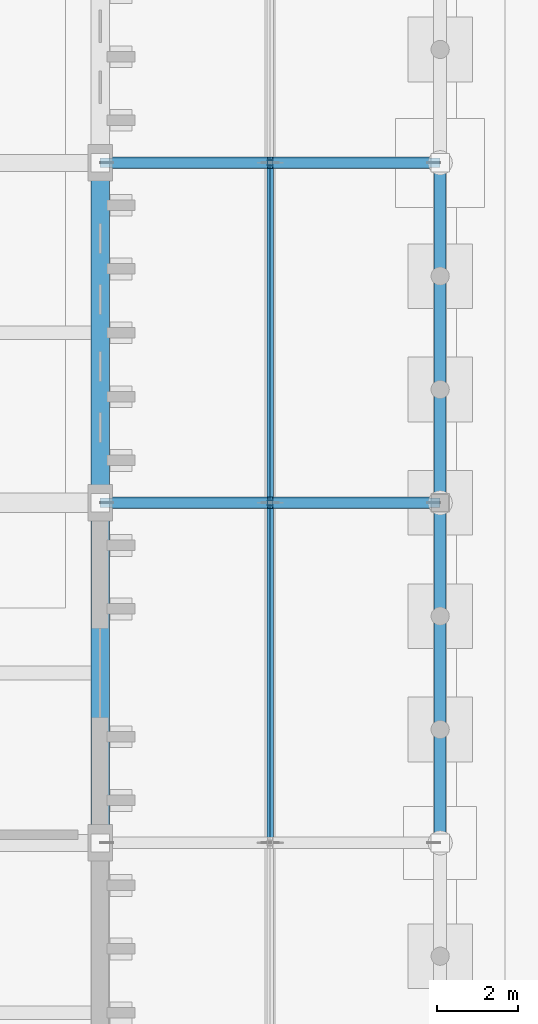
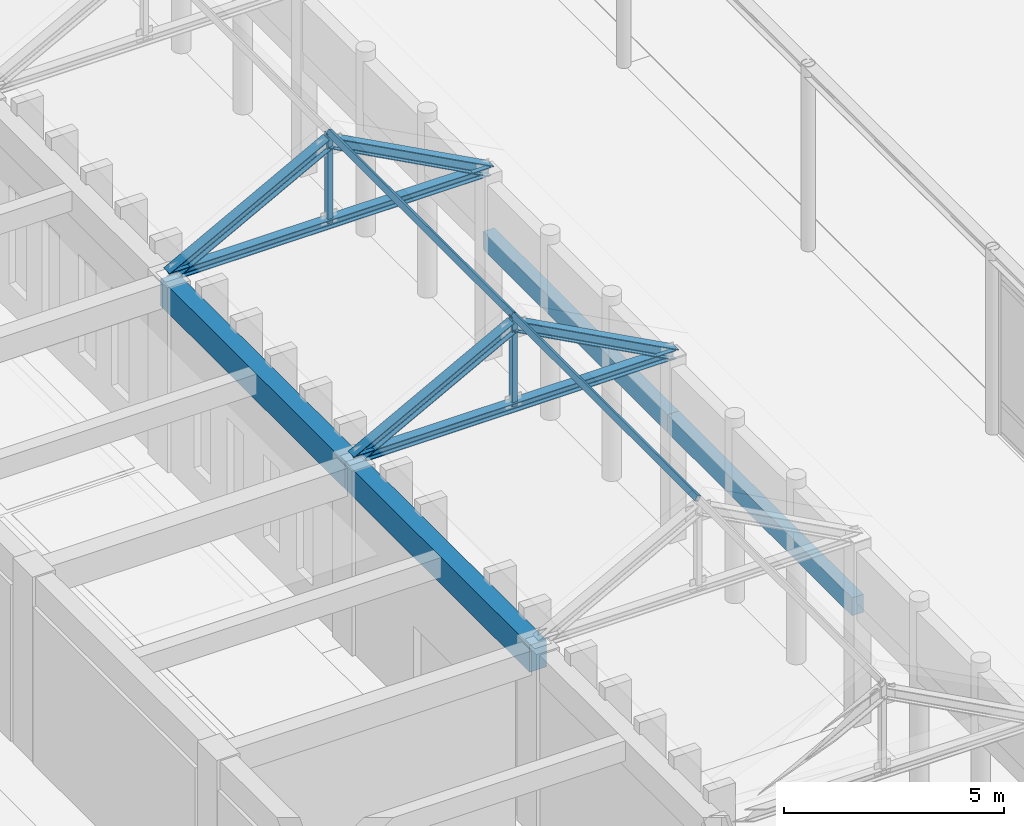
# One storey, part 31 of 143: 10 members, 4 beams.
"""IFC4 building model written with IfcOpenShell, lengths in metres."""

from ifc_helpers import new_model, si_unit, direction, frame, origin, origin_2d, place, context, subcontext, project, spatial, rectangle, hollow_rectangle, i_section, extrude, material, material_profile, profile_set, type_object, element, save


model = new_model("IFC4")

# Units and contexts
model_context = context("Model", 3, precision=1e-05, world=origin(), true_north=direction((0.0, 1.0)))
body_context = subcontext(model_context, "Body", "Model", "MODEL_VIEW")
ifc_project = project(units=[si_unit("LENGTHUNIT", "METRE"), si_unit("AREAUNIT", "SQUARE_METRE"), si_unit("VOLUMEUNIT", "CUBIC_METRE"), si_unit("PLANEANGLEUNIT", "RADIAN"), si_unit("MASSUNIT", "GRAM", prefix="KILO")], contexts=[model_context])

# Site, building, storey
site_placement = place(None, origin())
site = spatial("IfcSite", under=ifc_project, at=site_placement, CompositionType="ELEMENT")
building_placement = place(site_placement, origin())
building = spatial("IfcBuilding", under=site, at=building_placement, Name="Kveldsbrygga Polytechnic", CompositionType="ELEMENT")
storey_placement = place(building_placement, origin())
storey = spatial("IfcBuildingStorey", under=building, at=storey_placement, Name="L00", CompositionType="ELEMENT", Elevation=0.0)

# Beams
ifc_material_1 = material(Name="Concrete C35/45", Category="concrete")
ifc_material_profile_1 = material_profile(ifc_material_1, rectangle(XDim=0.449951171875, YDim=0.75, at=origin_2d()), Name="RC 450x750")
ifc_profile_set_1 = profile_set([ifc_material_profile_1], Name="Concrete C35/45")
beam_type_1 = type_object("IfcBeamType", Name="BM-RC-450x750", PredefinedType="BEAM", material=ifc_profile_set_1)
beam_1_placement = place(storey_placement, frame((33.60009765625, 42.0, 4.72509765625), z_axis=(0.0, 1.0, 0.0), x_axis=(-1.0, 0.0, 0.0)))
element("IfcBeam", 1, at=beam_1_placement, inside=storey, type_object=beam_type_1, Name="Primary Beam BMY-L00-04-05to06", PredefinedType="BEAM", context=body_context, shape_type="SweptSolid", body=[
    extrude(rectangle(XDim=0.449951171875, YDim=0.75, at=origin_2d()), origin(), (0.0, 0.0, 1.0), 8.39990234375),
])
beam_2_placement = place(storey_placement, frame((33.60009765625, 50.39990234375, 4.72509765625), z_axis=(0.0, 1.0, 0.0), x_axis=(-1.0, 0.0, 0.0)))
element("IfcBeam", 2, at=beam_2_placement, inside=storey, type_object=beam_type_1, Name="Primary Beam BMY-L00-04-06to07", PredefinedType="BEAM", context=body_context, shape_type="SweptSolid", body=[
    extrude(rectangle(XDim=0.449951171875, YDim=0.75, at=origin_2d()), origin(), (0.0, 0.0, 1.0), 8.400146484375),
])
ifc_material_profile_2 = material_profile(ifc_material_1, rectangle(XDim=0.300048828125, YDim=0.5, at=origin_2d()), Name="RC 300x500")
ifc_profile_set_2 = profile_set([ifc_material_profile_2], Name="Concrete C35/45")
beam_type_2 = type_object("IfcBeamType", Name="LNT-RC-300x500", PredefinedType="LINTEL", material=ifc_profile_set_2)
beam_3_placement = place(storey_placement, frame((42.0, 42.0, 3.199951171875), z_axis=(0.0, 1.0, 0.0), x_axis=(-1.0, 0.0, 0.0)))
element("IfcBeam", 3, at=beam_3_placement, inside=storey, type_object=beam_type_2, Name="Cloister Arcade Arch Lintel Beam BM-ARC-HDR-04", PredefinedType="LINTEL", context=body_context, shape_type="SweptSolid", body=[
    extrude(rectangle(XDim=0.300048828125, YDim=0.5, at=origin_2d()), origin(), (0.0, 0.0, 1.0), 8.39990234375),
])
beam_4_placement = place(storey_placement, frame((42.0, 50.39990234375, 3.199951171875), z_axis=(0.0, 1.0, 0.0), x_axis=(-1.0, 0.0, 0.0)))
element("IfcBeam", 4, at=beam_4_placement, inside=storey, type_object=beam_type_2, Name="Cloister Arcade Arch Lintel Beam BM-ARC-HDR-05", PredefinedType="LINTEL", context=body_context, shape_type="SweptSolid", body=[
    extrude(rectangle(XDim=0.300048828125, YDim=0.5, at=origin_2d()), origin(), (0.0, 0.0, 1.0), 8.400146484375),
])

# Members
ifc_material_2 = material(Name="Steel S355", Category="steel")
ifc_material_profile_3 = material_profile(ifc_material_2, hollow_rectangle(XDim=0.10009765625, YDim=0.14990234375, WallThickness=0.008056640625, at=origin_2d()), Name="RHS 150x100x8.0")
ifc_profile_set_3 = profile_set([ifc_material_profile_3], Name="Steel S355")
member_type_1 = type_object("IfcMemberType", Name="PRL-RHS150", PredefinedType="PURLIN", material=ifc_profile_set_3)
member_1_placement = place(storey_placement, frame((37.800048828125, 42.0, 7.6337890625), z_axis=(0.0, 1.0, 0.0), x_axis=(-0.881479888517, 0.0, 0.472221564671)))
element("IfcMember", 5, at=member_1_placement, inside=storey, type_object=member_type_1, Name="Roof Purlin ARC-WW-PRL-2-1", PredefinedType="PURLIN", context=body_context, shape_type="SweptSolid", body=[
    extrude(hollow_rectangle(XDim=0.10009765625, YDim=0.14990234375, WallThickness=0.008056640625, at=origin_2d()), origin(), (0.0, 0.0, 1.0), 8.39990234375),
])
member_2_placement = place(storey_placement, frame((37.800048828125, 50.39990234375, 7.6337890625), z_axis=(0.0, 1.0, 0.0), x_axis=(-0.881479888517, 0.0, 0.472221564671)))
element("IfcMember", 6, at=member_2_placement, inside=storey, type_object=member_type_1, Name="Roof Purlin ARC-WW-PRL-3-1", PredefinedType="PURLIN", context=body_context, shape_type="SweptSolid", body=[
    extrude(hollow_rectangle(XDim=0.10009765625, YDim=0.14990234375, WallThickness=0.008056640625, at=origin_2d()), origin(), (0.0, 0.0, 1.0), 8.400146484375),
])
ifc_material_profile_4 = material_profile(ifc_material_2, i_section(OverallWidth=0.239990234375, OverallDepth=0.239990234375, WebThickness=0.010009765625, FlangeThickness=0.01708984375, FilletRadius=0.02099609375, at=origin_2d()), Name="HEB 240")
ifc_profile_set_4 = profile_set([ifc_material_profile_4], Name="Steel S355")
member_type_2 = type_object("IfcMemberType", Name="TR-BOT-HEB240", PredefinedType="CHORD", material=ifc_profile_set_4)
for number, where, z_axis, x_axis, name in (
    (7, (33.60009765625, 50.39990234375, 5.139892578125), (1.0, 0.0, 0.0), (0.0, 1.0, 0.0), "Truss Bottom Chord ARC-WW-T03-BC-1"),
    (8, (33.60009765625, 58.800048828125, 5.139892578125), (1.0, 0.0, 0.0), (0.0, 1.0, 0.0), "Truss Bottom Chord ARC-WW-T04-BC-1"),
):
    element("IfcMember", number, at=place(storey_placement, frame(where, z_axis=z_axis, x_axis=x_axis)), inside=storey, type_object=member_type_2, Name=name, PredefinedType="CHORD", context=body_context, shape_type="SweptSolid", body=[
        extrude(i_section(OverallWidth=0.239990234375, OverallDepth=0.239990234375, WebThickness=0.010009765625, FlangeThickness=0.01708984375, FilletRadius=0.02099609375, at=origin_2d()), origin(), (0.0, 0.0, 1.0), 8.39990234375),
    ])
ifc_material_profile_5 = material_profile(ifc_material_2, hollow_rectangle(XDim=0.139892578125, YDim=0.139892578125, WallThickness=0.008056640625, at=origin_2d()), Name="SHS 140x140x8.0")
ifc_profile_set_5 = profile_set([ifc_material_profile_5], Name="Steel S355")
member_type_3 = type_object("IfcMemberType", Name="TR-POST-SHS140", PredefinedType="STRUT", material=ifc_profile_set_5)
for number, where, z_axis, x_axis, name in (
    (9, (37.800048828125, 50.39990234375, 5.139892578125), (0.0, 0.0, 1.0), (1.0, 0.0, 0.0), "Truss Vertical ARC-WW-T03-VT-1"),
    (10, (37.800048828125, 58.800048828125, 5.139892578125), (0.0, 0.0, 1.0), (1.0, 0.0, 0.0), "Truss Vertical ARC-WW-T04-VT-1"),
):
    element("IfcMember", number, at=place(storey_placement, frame(where, z_axis=z_axis, x_axis=x_axis)), inside=storey, type_object=member_type_3, Name=name, PredefinedType="STRUT", context=body_context, shape_type="SweptSolid", body=[
        extrude(hollow_rectangle(XDim=0.139892578125, YDim=0.139892578125, WallThickness=0.008056640625, at=origin_2d()), origin(), (0.0, 0.0, 1.0), 2.493896484375),
    ])
ifc_material_profile_6 = material_profile(ifc_material_2, i_section(OverallWidth=0.280029296875, OverallDepth=0.280029296875, WebThickness=0.010498046875, FlangeThickness=0.01806640625, FilletRadius=0.02392578125, at=origin_2d()), Name="HEB 280")
ifc_profile_set_6 = profile_set([ifc_material_profile_6], Name="Steel S355")
member_type_4 = type_object("IfcMemberType", Name="TR-TOP-HEB280", PredefinedType="CHORD", material=ifc_profile_set_6)
for number, where, z_axis, x_axis, name in (
    (11, (33.60009765625, 50.39990234375, 5.139892578125), (0.881477684796, 0.0, 0.472225678258), (0.0, 1.0, 0.0), "Truss Top Chord ARC-WW-T03-TC-1"),
    (12, (37.800048828125, 50.39990234375, 7.389892578125), (0.881477684796, 0.0, -0.472225678258), (0.0, 1.0, 0.0), "Truss Top Chord ARC-WW-T03-TC-2"),
    (13, (33.60009765625, 58.800048828125, 5.139892578125), (0.881477684796, 0.0, 0.472225678258), (0.0, 1.0, 0.0), "Truss Top Chord ARC-WW-T04-TC-1"),
    (14, (37.800048828125, 58.800048828125, 7.389892578125), (0.881477684796, 0.0, -0.472225678258), (0.0, 1.0, 0.0), "Truss Top Chord ARC-WW-T04-TC-2"),
):
    element("IfcMember", number, at=place(storey_placement, frame(where, z_axis=z_axis, x_axis=x_axis)), inside=storey, type_object=member_type_4, Name=name, PredefinedType="CHORD", context=body_context, shape_type="SweptSolid", body=[
        extrude(i_section(OverallWidth=0.280029296875, OverallDepth=0.280029296875, WebThickness=0.010498046875, FlangeThickness=0.01806640625, FilletRadius=0.02392578125, at=origin_2d()), origin(), (0.0, 0.0, 1.0), 4.7646484375),
    ])

save(model, "model.ifc")
